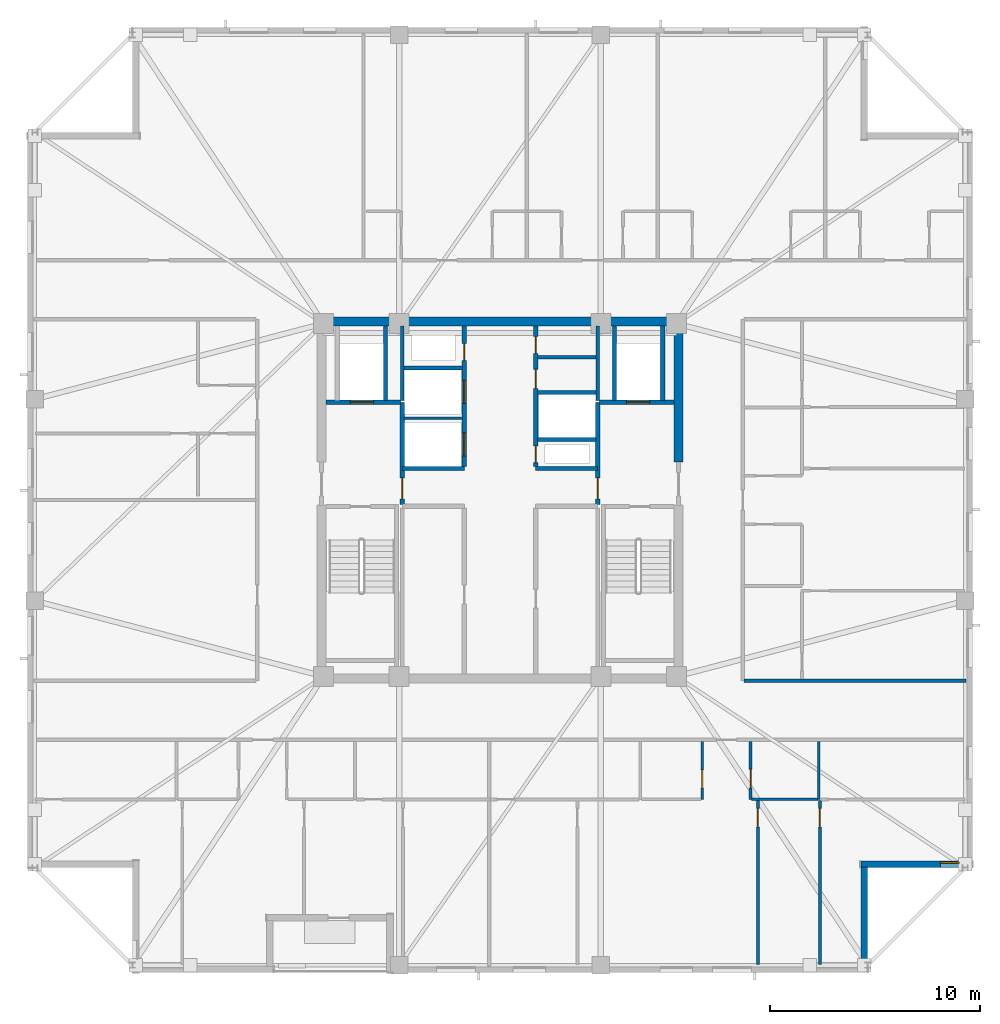
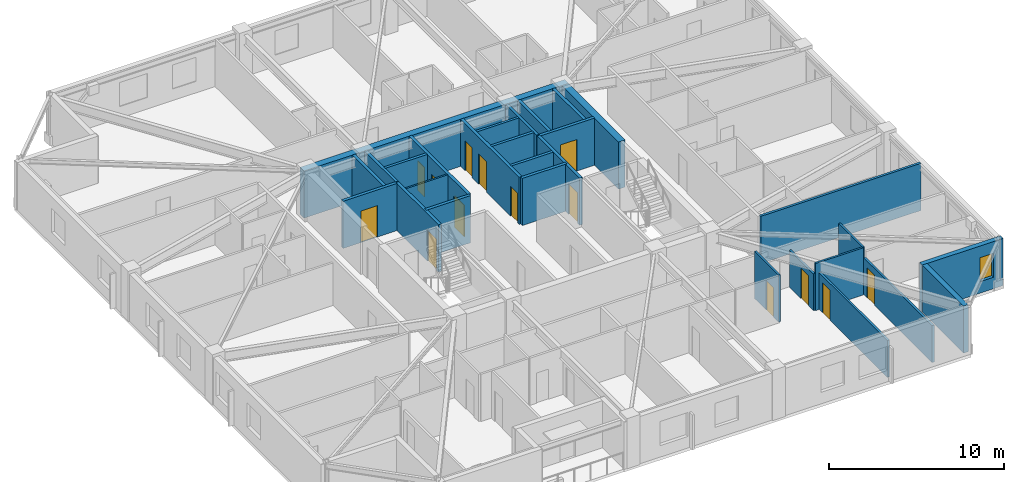
# One storey, part 9 of 15: 29 walls, 14 doors, 1 window, 15 openings.
"""IFC4 building model written with IfcOpenShell, lengths in metres."""

import ifcopenshell
import ifcopenshell.guid

model = None  # the IFC model being written
_history = None  # IfcOwnerHistory: only IFC2X3 demands one
_inside = {}  # id of a spatial element -> (the spatial element, [elements in it])
_under = {}  # id of a project, library or spatial element -> (it, [spatial elements below it])
_declared = {}  # id of a project -> (the project, [libraries it declares])
_typed = {}  # id of a type object -> (the type object, [elements of that type])
_made_of = {}  # id of a material, layer set ... -> (it, [elements and type objects made of it])


def new_model(schema):
    """Start an empty IFC model of exactly this schema.

    Asked for "IFC4X3", IfcOpenShell would pick the latest addendum, in which some entities
    have other attributes; the version numbers below select the first issue.
    IFC2X3 requires an IfcOwnerHistory on every rooted entity: one is made here for all.
    """
    global model, _history
    if schema == "IFC4X3":
        model = ifcopenshell.file(schema_version=(4, 3, 0, 0))
    else:
        model = ifcopenshell.file(schema=schema)
    _inside.clear()
    _under.clear()
    _declared.clear()
    _typed.clear()
    _made_of.clear()
    _history = None
    if model.schema == "IFC2X3":
        org = make("IfcOrganization", Name="unknown")
        user = make(
            "IfcPersonAndOrganization",
            ThePerson=make("IfcPerson", FamilyName="unknown"),
            TheOrganization=org,
        )
        app = make(
            "IfcApplication",
            ApplicationDeveloper=org,
            Version="unknown",
            ApplicationFullName="unknown",
            ApplicationIdentifier="unknown",
        )
        _history = make(
            "IfcOwnerHistory",
            OwningUser=user,
            OwningApplication=app,
            ChangeAction="ADDED",
            CreationDate=0,
        )
    return model


def make(cls, **values):
    """One entity of the class cls with the attributes given. An attribute that is None is left unset."""
    return model.create_entity(
        cls, **{name: value for name, value in values.items() if value is not None}
    )


def rooted(cls, **values):
    """An entity with a GlobalId (a new one), such as an element, a storey or a relation."""
    return make(cls, GlobalId=ifcopenshell.guid.new(), OwnerHistory=_history, **values)


def si_unit(unit_type, name, prefix=None):
    """IfcSIUnit, for example si_unit("LENGTHUNIT", "METRE", prefix="MILLI")."""
    return make("IfcSIUnit", UnitType=unit_type, Prefix=prefix, Name=name)


def assignment(units):
    """IfcUnitAssignment: the units of a project."""
    return None if units is None else make("IfcUnitAssignment", Units=units)


def point(xyz):
    """IfcCartesianPoint."""
    return None if xyz is None else make("IfcCartesianPoint", Coordinates=xyz)


def direction(xyz):
    """IfcDirection."""
    return None if xyz is None else make("IfcDirection", DirectionRatios=xyz)


def frame(location, z_axis=None, x_axis=None):
    """IfcAxis2Placement3D, a coordinate frame: its origin and axes. An axis left out is left unset."""
    return make(
        "IfcAxis2Placement3D",
        Location=point(location),
        Axis=direction(z_axis),
        RefDirection=direction(x_axis),
    )


def frame_2d(location, x_axis=None):
    """IfcAxis2Placement2D, a coordinate frame in the plane: its origin and x axis."""
    return make(
        "IfcAxis2Placement2D", Location=point(location), RefDirection=direction(x_axis)
    )


def origin():
    """The frame at (0, 0, 0) with its axes left unset."""
    return frame((0.0, 0.0, 0.0))


def place(relative_to, where):
    """IfcLocalPlacement: puts the frame where relative to a parent placement (None: the world)."""
    return make(
        "IfcLocalPlacement", PlacementRelTo=relative_to, RelativePlacement=where
    )


def context(
    kind, dimensions, precision=None, world=None, true_north=None, identifier=None
):
    """IfcGeometricRepresentationContext, for example the 3D "Model" context."""
    return make(
        "IfcGeometricRepresentationContext",
        ContextIdentifier=identifier,
        ContextType=kind,
        CoordinateSpaceDimension=dimensions,
        Precision=precision,
        WorldCoordinateSystem=world,
        TrueNorth=true_north,
    )


def subcontext(parent, identifier, kind, view, scale=None):
    """IfcGeometricRepresentationSubContext, for example "Body" below "Model"."""
    return make(
        "IfcGeometricRepresentationSubContext",
        ContextIdentifier=identifier,
        ContextType=kind,
        ParentContext=parent,
        TargetScale=scale,
        TargetView=view,
    )


def project(units=None, contexts=None):
    """IfcProject with its units and contexts."""
    return rooted(
        "IfcProject",
        Name="project",
        RepresentationContexts=contexts,
        UnitsInContext=assignment(units),
    )


def spatial(cls, under=None, at=None, **own):
    """A site, building, storey or space (cls), placed at a placement, below another one or the project."""
    s = rooted(cls, ObjectPlacement=at, **own)
    if under is not None:
        _under.setdefault(under.id(), (under, []))[1].append(s)
    return s


def profile(cls, at=None, kind="AREA", **sizes):
    """A parametric profile (cls). Its sizes go by their IFC names, for example OverallWidth=200.0."""
    return make(cls, ProfileType=kind, Position=at, **sizes)


def rectangle(**sizes):
    """IfcRectangleProfileDef."""
    return profile("IfcRectangleProfileDef", **sizes)


def extrude(swept, where, along, depth):
    """IfcExtrudedAreaSolid: the profile swept, set in the frame where, extruded along a direction by depth."""
    return make(
        "IfcExtrudedAreaSolid",
        SweptArea=swept,
        Position=where,
        ExtrudedDirection=direction(along),
        Depth=depth,
    )


def shape(context_of_items, identifier, shape_type, items):
    """IfcShapeRepresentation: the items that make up one representation, for example the "Body"."""
    return make(
        "IfcShapeRepresentation",
        ContextOfItems=context_of_items,
        RepresentationIdentifier=identifier,
        RepresentationType=shape_type,
        Items=items,
    )


def material(Name=None, Category=None):
    """IfcMaterial."""
    return make("IfcMaterial", Name=Name, Category=Category)


def layer(
    of_material, thickness, ventilated=None, Name=None, Category=None, Priority=None
):
    """IfcMaterialLayer: one layer of a wall or slab, of a material (None: an air gap)."""
    return make(
        "IfcMaterialLayer",
        Material=of_material,
        LayerThickness=thickness,
        IsVentilated=ventilated,
        Name=Name,
        Category=Category,
        Priority=Priority,
    )


def layer_set(layers, Name=None):
    """IfcMaterialLayerSet."""
    return make("IfcMaterialLayerSet", MaterialLayers=layers, LayerSetName=Name)


def made_of(thing, what):
    """Note that an element or type object is made of a material, layer set ...; save() writes the relation."""
    if what is not None:
        _made_of.setdefault(what.id(), (what, []))[1].append(thing)
    return thing


def type_object(cls, material=None, **own):
    """A type object (cls), such as IfcWallType, which elements share."""
    return made_of(rooted(cls, **own), material)


def element(
    cls,
    number,
    at=None,
    inside=None,
    cuts=None,
    type_object=None,
    material=None,
    context=None,
    identifier="Body",
    shape_type=None,
    held_by="IfcProductDefinitionShape",
    body=None,
    shapes=None,
    **own,
):
    """One element of the class cls, such as IfcWall. Its Tag is "e" and its number.

    at: its placement. inside: the storey or other place that contains it. cuts: it is an
    opening in that element (IfcRelVoidsElement). A single representation is given by context,
    identifier, shape_type and body (its items); several are given by shapes. held_by: the class
    of the entity that holds the representations. save() writes the other relations.
    """
    e = rooted(cls, Tag="e%d" % number, ObjectPlacement=at, **own)
    if body is not None:
        shapes = [shape(context, identifier, shape_type, body)]
    if shapes is not None:
        e.Representation = make(held_by, Representations=shapes)
    if inside is not None:
        _inside.setdefault(inside.id(), (inside, []))[1].append(e)
    if cuts is not None:
        rooted(
            "IfcRelVoidsElement", RelatingBuildingElement=cuts, RelatedOpeningElement=e
        )
    if type_object is not None:
        _typed.setdefault(type_object.id(), (type_object, []))[1].append(e)
    return made_of(e, material)


def fill(opening, filler):
    """IfcRelFillsElement: the door or window that sits in an opening."""
    return rooted(
        "IfcRelFillsElement",
        RelatingOpeningElement=opening,
        RelatedBuildingElement=filler,
    )


def aggregate(whole, parts):
    """IfcRelAggregates: a whole, such as a stair, and the parts it consists of."""
    return rooted("IfcRelAggregates", RelatingObject=whole, RelatedObjects=parts)


def save(model, path):
    """Write the relations noted so far, then the file.

    IfcRelAggregates (storeys below a building ...), IfcRelContainedInSpatialStructure (elements
    in a storey), IfcRelDefinesByType, IfcRelAssociatesMaterial and IfcRelDeclares: one each for
    every whole, place, type object, material and project.
    """
    for whole, parts in _under.values():
        aggregate(whole, parts)
    for where, things in _inside.values():
        rooted(
            "IfcRelContainedInSpatialStructure",
            RelatedElements=things,
            RelatingStructure=where,
        )
    for kind, things in _typed.values():
        rooted("IfcRelDefinesByType", RelatedObjects=things, RelatingType=kind)
    for what, things in _made_of.values():
        rooted("IfcRelAssociatesMaterial", RelatedObjects=things, RelatingMaterial=what)
    for by, libraries in _declared.values():
        rooted("IfcRelDeclares", RelatingContext=by, RelatedDefinitions=libraries)
    model.write(path)


model = new_model("IFC4")

# Units and contexts
model_context = context("Model", 3, precision=1e-05, world=origin(), true_north=direction((0.0, 1.0)))
body_context = subcontext(model_context, "Body", "Model", "MODEL_VIEW")
ifc_project = project(units=[si_unit("LENGTHUNIT", "METRE"), si_unit("AREAUNIT", "SQUARE_METRE"), si_unit("VOLUMEUNIT", "CUBIC_METRE"), si_unit("PLANEANGLEUNIT", "RADIAN"), si_unit("MASSUNIT", "GRAM", prefix="KILO")], contexts=[model_context])

# Site, building, storey
site_placement = place(None, origin())
site = spatial("IfcSite", under=ifc_project, at=site_placement, CompositionType="ELEMENT")
building_placement = place(site_placement, origin())
building = spatial("IfcBuilding", under=site, at=building_placement, Name="Cairnveth Concourse Tower", CompositionType="ELEMENT")
storey_placement = place(building_placement, frame((0.0, 0.0, 265.5)))
storey = spatial("IfcBuildingStorey", under=building, at=storey_placement, Name="L73", CompositionType="ELEMENT", Elevation=265.5)

# Walls
ifc_material_1 = material(Name="Gypsum Plasterboard Partition", Category="gypsum")
ifc_layer_1 = layer(ifc_material_1, 0.159912109375)
ifc_layer_set_1 = layer_set([ifc_layer_1], Name="Gypsum Plasterboard Partition")
wall_type_1 = type_object("IfcWallType", Name="ACOUSTIC PARTY WALL 180", PredefinedType="PARTITIONING", material=ifc_layer_set_1)
wall_1_placement = place(storey_placement, frame((53.784912109375, 45.800048828125, 0.0), z_axis=(0.0, 0.0, 1.0), x_axis=(1.0, 0.0, 0.0)))
element("IfcWall", 1, at=wall_1_placement, inside=storey, type_object=wall_type_1, Name="Interior Wall IW-L73-033", PredefinedType="PARTITIONING", context=body_context, shape_type="SweptSolid", body=[
    extrude(rectangle(XDim=2.7900390625, YDim=0.159912109375, at=frame_2d((1.39501953125, 0.0))), origin(), (0.0, 0.0, 1.0), 3.2900390625),
])
wall_2_placement = place(storey_placement, frame((63.614990234375, 30.39990234375, 0.0), z_axis=(0.0, 0.0, 1.0), x_axis=(1.0, 0.0, 0.0)))
element("IfcWall", 2, at=wall_2_placement, inside=storey, type_object=wall_type_1, Name="Interior Wall IW-L73-040", PredefinedType="PARTITIONING", context=body_context, shape_type="SweptSolid", body=[
    extrude(rectangle(XDim=10.580078125, YDim=0.159912109375, at=frame_2d((5.2900390625, 0.0))), origin(), (0.0, 0.0, 1.0), 3.2900390625),
])
ifc_material_2 = material(Name="Concrete N65 (65 MPa)", Category="concrete")
ifc_layer_2 = layer(ifc_material_2, 0.449951171875)
ifc_layer_set_2 = layer_set([ifc_layer_2], Name="Concrete N65 (65 MPa)")
wall_type_2 = type_object("IfcWallType", Name="CORE SHEAR WALL 450", PredefinedType="SHEAR", material=ifc_layer_set_2)
wall_3_placement = place(storey_placement, frame((43.27490234375, 47.5, 0.0), z_axis=(0.0, 0.0, 1.0), x_axis=(1.0, 0.0, 0.0)))
element("IfcWall", 3, at=wall_3_placement, inside=storey, type_object=wall_type_2, Name="Core North Shear Wall L73", PredefinedType="SHEAR", context=body_context, shape_type="SweptSolid", body=[
    extrude(rectangle(XDim=17.4501953125, YDim=0.449951171875, at=frame_2d((8.72509765625, 0.0))), origin(), (0.0, 0.0, 1.0), 3.2900390625),
])
wall_4_placement = place(storey_placement, frame((60.5, 40.800048828125, 0.0), z_axis=(0.0, 0.0, 1.0), x_axis=(0.0, 1.0, 0.0)))
element("IfcWall", 4, at=wall_4_placement, inside=storey, type_object=wall_type_2, Name="Core East Shear Wall N L73", PredefinedType="SHEAR", context=body_context, shape_type="SweptSolid", body=[
    extrude(rectangle(XDim=6.48486328125, YDim=0.449951171875, at=frame_2d((3.242431640625, 0.0))), origin(), (0.0, 0.0, 1.0), 3.2900390625),
])
ifc_material_3 = material(Name="Concrete N50 (50 MPa)", Category="concrete")
ifc_layer_3 = layer(ifc_material_3, 0.179931640625)
ifc_layer_set_3 = layer_set([ifc_layer_3], Name="Concrete N50 (50 MPa)")
wall_type_3 = type_object("IfcWallType", Name="FIRE SHAFT WALL 180", PredefinedType="SOLIDWALL", material=ifc_layer_set_3)
wall_5_placement = place(storey_placement, frame((47.35009765625, 43.735107421875, 0.0), z_axis=(0.0, 0.0, 1.0), x_axis=(0.0, 1.0, 0.0)))
element("IfcWall", 5, at=wall_5_placement, inside=storey, type_object=wall_type_3, Name="Interior Wall IW-L73-027", PredefinedType="SOLIDWALL", context=body_context, shape_type="SweptSolid", body=[
    extrude(rectangle(XDim=3.554931640625, YDim=0.179931640625, at=frame_2d((1.77734375, 0.0))), origin(), (0.0, 0.0, 1.0), 3.2900390625),
])
wall_6_placement = place(storey_placement, frame((47.425048828125, 45.280029296875, 0.0), z_axis=(0.0, 0.0, 1.0), x_axis=(1.0, 0.0, 0.0)))
element("IfcWall", 6, at=wall_6_placement, inside=storey, type_object=wall_type_3, Name="Interior Wall IW-L73-029", PredefinedType="SOLIDWALL", context=body_context, shape_type="SweptSolid", body=[
    extrude(rectangle(XDim=2.7900390625, YDim=0.179931640625, at=frame_2d((1.39501953125, 0.0))), origin(), (0.0, 0.0, 1.0), 3.2900390625),
])
wall_7_placement = place(storey_placement, frame((56.64990234375, 43.735107421875, 0.0), z_axis=(0.0, 0.0, 1.0), x_axis=(0.0, 1.0, 0.0)))
element("IfcWall", 7, at=wall_7_placement, inside=storey, type_object=wall_type_3, Name="Interior Wall IW-L73-030", PredefinedType="SOLIDWALL", context=body_context, shape_type="SweptSolid", body=[
    extrude(rectangle(XDim=3.554931640625, YDim=0.179931640625, at=frame_2d((1.77734375, 0.0))), origin(), (0.0, 0.0, 1.0), 3.2900390625),
])
wall_8_placement = place(storey_placement, frame((53.784912109375, 41.8798828125, 0.0), z_axis=(0.0, 0.0, 1.0), x_axis=(1.0, 0.0, 0.0)))
element("IfcWall", 8, at=wall_8_placement, inside=storey, type_object=wall_type_3, Name="Interior Wall IW-L73-031", PredefinedType="SOLIDWALL", context=body_context, shape_type="SweptSolid", body=[
    extrude(rectangle(XDim=2.780029296875, YDim=0.179931640625, at=frame_2d((1.39013671875, 0.0))), origin(), (0.0, 0.0, 1.0), 3.2900390625),
])
wall_9_placement = place(storey_placement, frame((53.784912109375, 44.1201171875, 0.0), z_axis=(0.0, 0.0, 1.0), x_axis=(1.0, 0.0, 0.0)))
element("IfcWall", 9, at=wall_9_placement, inside=storey, type_object=wall_type_3, Name="Interior Wall IW-L73-032", PredefinedType="SOLIDWALL", context=body_context, shape_type="SweptSolid", body=[
    extrude(rectangle(XDim=2.7900390625, YDim=0.179931640625, at=frame_2d((1.39501953125, 0.0))), origin(), (0.0, 0.0, 1.0), 3.2900390625),
])
ifc_layer_4 = layer(ifc_material_3, 0.199951171875)
ifc_layer_set_4 = layer_set([ifc_layer_4], Name="Concrete N50 (50 MPa)")
wall_type_4 = type_object("IfcWallType", Name="FIRE SHAFT WALL 200", PredefinedType="SOLIDWALL", material=ifc_layer_set_4)
for number, where, z_axis, x_axis, name in (
    (10, (47.35009765625, 40.5, 0.0), (0.0, 0.0, 1.0), (1.0, 0.0, 0.0), "Interior Wall IW-L73-008"),
    (11, (53.699951171875, 40.5, 0.0), (0.0, 0.0, 1.0), (1.0, 0.0, 0.0), "Interior Wall IW-L73-010"),
):
    element("IfcWall", number, at=place(storey_placement, frame(where, z_axis=z_axis, x_axis=x_axis)), inside=storey, type_object=wall_type_4, Name=name, PredefinedType="SOLIDWALL", context=body_context, shape_type="SweptSolid", body=[
        extrude(rectangle(XDim=2.949951171875, YDim=0.199951171875, at=frame_2d((1.47509765625, 0.0))), origin(), (0.0, 0.0, 1.0), 3.2900390625),
    ])

# Wall, openings, doors
wall_10_placement = place(storey_placement, frame((50.300048828125, 40.5849609375, 0.0), z_axis=(0.0, 0.0, 1.0), x_axis=(0.0, 1.0, 0.0)))
wall_10 = element("IfcWall", 12, at=wall_10_placement, inside=storey, type_object=wall_type_4, Name="Interior Wall IW-L73-013", PredefinedType="SOLIDWALL", context=body_context, shape_type="SweptSolid", body=[
    extrude(rectangle(XDim=6.705078125, YDim=0.199951171875, at=frame_2d((3.3525390625, 0.0))), origin(), (0.0, 0.0, 1.0), 3.2900390625),
])
opening_1_placement = place(wall_10_placement, frame((0.514892578125, 0.0, 0.0)))
opening_1 = element("IfcOpeningElement", 13, at=opening_1_placement, cuts=wall_10, Name="Opening LD-1", PredefinedType="OPENING", context=body_context, shape_type="SweptSolid", body=[
    extrude(rectangle(XDim=1.10009765625, YDim=2.199951171875, at=frame_2d((0.550048828125, 1.10009765625))), frame((0.0, 0.10986328125, 0.0), z_axis=(0.0, -1.0, 0.0), x_axis=(1.0, 0.0, 0.0)), (0.0, 0.0, 1.0), 0.219970703125),
])
opening_2_placement = place(wall_10_placement, frame((3.014892578125, 0.0, 0.0)))
opening_2 = element("IfcOpeningElement", 14, at=opening_2_placement, cuts=wall_10, Name="Opening LD-1", PredefinedType="OPENING", context=body_context, shape_type="SweptSolid", body=[
    extrude(rectangle(XDim=1.10009765625, YDim=2.199951171875, at=frame_2d((0.550048828125, 1.10009765625))), frame((0.0, 0.10986328125, 0.0), z_axis=(0.0, -1.0, 0.0), x_axis=(1.0, 0.0, 0.0)), (0.0, 0.0, 1.0), 0.219970703125),
])
opening_3_placement = place(wall_10_placement, frame((5.06494140625, 0.0, 0.0)))
opening_3 = element("IfcOpeningElement", 15, at=opening_3_placement, cuts=wall_10, Name="Opening ID24", PredefinedType="OPENING", context=body_context, shape_type="SweptSolid", body=[
    extrude(rectangle(XDim=0.800048828125, YDim=2.080078125, at=frame_2d((0.39990234375, 1.0400390625))), frame((0.0, 0.10986328125, 0.0), z_axis=(0.0, -1.0, 0.0), x_axis=(1.0, 0.0, 0.0)), (0.0, 0.0, 1.0), 0.219970703125),
])
ifc_material_4 = material(Name="Architectural Bronze Anodised Aluminium 6063-T6", Category="aluminium")
door_type_1 = type_object("IfcDoorType", Name="LIFT LANDING DOOR 1100X2200", OperationType="SLIDING_TO_LEFT", PredefinedType="DOOR", material=ifc_material_4)
door_1_placement = place(opening_1_placement, origin())
door_1 = element("IfcDoor", 16, at=door_1_placement, inside=storey, type_object=door_type_1, Name="Lift PL7 Landing Door L73", OperationType="SLIDING_TO_LEFT", OverallHeight=2.199951171875, OverallWidth=1.10009765625, PredefinedType="DOOR", context=body_context, shape_type="SweptSolid", body=[
    extrude(rectangle(XDim=1.10009765625, YDim=2.199951171875, at=frame_2d((0.550048828125, 1.10009765625))), frame((0.0, 0.02490234375, 0.0), z_axis=(0.0, -1.0, 0.0), x_axis=(1.0, 0.0, 0.0)), (0.0, 0.0, 1.0), 0.050048828125),
])
fill(opening_1, door_1)
door_2_placement = place(opening_2_placement, origin())
door_2 = element("IfcDoor", 17, at=door_2_placement, inside=storey, type_object=door_type_1, Name="Lift PL8 Landing Door L73", OperationType="SLIDING_TO_LEFT", OverallHeight=2.199951171875, OverallWidth=1.10009765625, PredefinedType="DOOR", context=body_context, shape_type="SweptSolid", body=[
    extrude(rectangle(XDim=1.10009765625, YDim=2.199951171875, at=frame_2d((0.550048828125, 1.10009765625))), frame((0.0, 0.02490234375, 0.0), z_axis=(0.0, -1.0, 0.0), x_axis=(1.0, 0.0, 0.0)), (0.0, 0.0, 1.0), 0.050048828125),
])
fill(opening_2, door_2)
ifc_material_5 = material(Name="Steel Grade 350", Category="steel")
door_type_2 = type_object("IfcDoorType", Name="RISER ACCESS DOOR 800X2100", OperationType="NOTDEFINED", PredefinedType="DOOR", material=ifc_material_5)
door_3_placement = place(opening_3_placement, origin())
door_3 = element("IfcDoor", 18, at=door_3_placement, inside=storey, type_object=door_type_2, Name="NW Electrical Riser Access Door L73", OperationType="SINGLE_SWING_LEFT", OverallHeight=2.080078125, OverallWidth=0.800048828125, PredefinedType="DOOR", context=body_context, shape_type="SweptSolid", body=[
    extrude(rectangle(XDim=0.800048828125, YDim=2.080078125, at=frame_2d((0.39990234375, 1.0400390625))), frame((0.0, 0.02490234375, 0.0), z_axis=(0.0, -1.0, 0.0), x_axis=(1.0, 0.0, 0.0)), (0.0, 0.0, 1.0), 0.050048828125),
])
fill(opening_3, door_3)

wall_11_placement = place(storey_placement, frame((53.699951171875, 40.5849609375, 0.0), z_axis=(0.0, 0.0, 1.0), x_axis=(0.0, 1.0, 0.0)))
wall_11 = element("IfcWall", 19, at=wall_11_placement, inside=storey, type_object=wall_type_4, Name="Interior Wall IW-L73-014", PredefinedType="SOLIDWALL", context=body_context, shape_type="SweptSolid", body=[
    extrude(rectangle(XDim=6.705078125, YDim=0.199951171875, at=frame_2d((3.3525390625, 0.0))), origin(), (0.0, 0.0, 1.0), 3.2900390625),
])
opening_4_placement = place(wall_11_placement, frame((0.195068359375, 0.0, 0.0)))
opening_4 = element("IfcOpeningElement", 20, at=opening_4_placement, cuts=wall_11, Name="Opening ID24", PredefinedType="OPENING", context=body_context, shape_type="SweptSolid", body=[
    extrude(rectangle(XDim=0.800048828125, YDim=2.080078125, at=frame_2d((0.39990234375, 1.0400390625))), frame((0.0, 0.10986328125, 0.0), z_axis=(0.0, -1.0, 0.0), x_axis=(1.0, 0.0, 0.0)), (0.0, 0.0, 1.0), 0.219970703125),
])
opening_5_placement = place(wall_11_placement, frame((3.735107421875, 0.0, 0.0)))
opening_5 = element("IfcOpeningElement", 21, at=opening_5_placement, cuts=wall_11, Name="Opening ID26", PredefinedType="OPENING", context=body_context, shape_type="SweptSolid", body=[
    extrude(rectangle(XDim=0.89990234375, YDim=2.1201171875, at=frame_2d((0.449951171875, 1.06005859375))), frame((0.0, 0.10986328125, 0.0), z_axis=(0.0, -1.0, 0.0), x_axis=(1.0, 0.0, 0.0)), (0.0, 0.0, 1.0), 0.219970703125),
])
opening_6_placement = place(wall_11_placement, frame((5.39501953125, 0.0, 0.0)))
opening_6 = element("IfcOpeningElement", 22, at=opening_6_placement, cuts=wall_11, Name="Opening ID23", PredefinedType="OPENING", context=body_context, shape_type="SweptSolid", body=[
    extrude(rectangle(XDim=0.800048828125, YDim=2.10009765625, at=frame_2d((0.39990234375, 1.050048828125))), frame((0.0, 0.10986328125, 0.0), z_axis=(0.0, -1.0, 0.0), x_axis=(1.0, 0.0, 0.0)), (0.0, 0.0, 1.0), 0.219970703125),
])
door_type_3 = type_object("IfcDoorType", Name="CORE SERVICE DOOR 800X2100", OperationType="NOTDEFINED", PredefinedType="DOOR", material=ifc_material_5)
door_4_placement = place(opening_6_placement, origin())
door_4 = element("IfcDoor", 23, at=door_4_placement, inside=storey, type_object=door_type_3, Name="Core NE Cleaners Door L73", OperationType="SINGLE_SWING_RIGHT", OverallHeight=2.10009765625, OverallWidth=0.800048828125, PredefinedType="DOOR", context=body_context, shape_type="SweptSolid", body=[
    extrude(rectangle(XDim=0.800048828125, YDim=2.10009765625, at=frame_2d((0.39990234375, 1.050048828125))), frame((0.0, 0.02490234375, 0.0), z_axis=(0.0, -1.0, 0.0), x_axis=(1.0, 0.0, 0.0)), (0.0, 0.0, 1.0), 0.050048828125),
])
fill(opening_6, door_4)
door_type_4 = type_object("IfcDoorType", Name="CORE TOILET FIRE DOOR 900X2120", OperationType="NOTDEFINED", PredefinedType="DOOR", material=ifc_material_5)
door_5_placement = place(opening_5_placement, origin())
door_5 = element("IfcDoor", 24, at=door_5_placement, inside=storey, type_object=door_type_4, Name="Core NE Unisex WC Door L73", OperationType="SINGLE_SWING_LEFT", OverallHeight=2.1201171875, OverallWidth=0.89990234375, PredefinedType="DOOR", context=body_context, shape_type="SweptSolid", body=[
    extrude(rectangle(XDim=0.89990234375, YDim=2.1201171875, at=frame_2d((0.449951171875, 1.06005859375))), frame((0.0, 0.02490234375, 0.0), z_axis=(0.0, -1.0, 0.0), x_axis=(1.0, 0.0, 0.0)), (0.0, 0.0, 1.0), 0.050048828125),
])
fill(opening_5, door_5)
door_6_placement = place(opening_4_placement, origin())
door_6 = element("IfcDoor", 25, at=door_6_placement, inside=storey, type_object=door_type_2, Name="Hydraulic Riser Door L73", OperationType="SINGLE_SWING_RIGHT", OverallHeight=2.080078125, OverallWidth=0.800048828125, PredefinedType="DOOR", context=body_context, shape_type="SweptSolid", body=[
    extrude(rectangle(XDim=0.800048828125, YDim=2.080078125, at=frame_2d((0.39990234375, 1.0400390625))), frame((0.0, 0.02490234375, 0.0), z_axis=(0.0, -1.0, 0.0), x_axis=(1.0, 0.0, 0.0)), (0.0, 0.0, 1.0), 0.050048828125),
])
fill(opening_4, door_6)

# Wall, opening, door
wall_12_placement = place(storey_placement, frame((47.35009765625, 38.784912109375, 0.0), z_axis=(0.0, 0.0, 1.0), x_axis=(0.0, 1.0, 0.0)))
wall_12 = element("IfcWall", 26, at=wall_12_placement, inside=storey, type_object=wall_type_4, Name="Interior Wall IW-L73-016", PredefinedType="SOLIDWALL", context=body_context, shape_type="SweptSolid", body=[
    extrude(rectangle(XDim=4.864990234375, YDim=0.199951171875, at=frame_2d((2.4326171875, 0.0))), origin(), (0.0, 0.0, 1.0), 3.2900390625),
])
opening_7_placement = place(wall_12_placement, frame((0.264892578125, 0.0, 0.0)))
opening_7 = element("IfcOpeningElement", 27, at=opening_7_placement, cuts=wall_12, Name="Opening ID07", PredefinedType="OPENING", context=body_context, shape_type="SweptSolid", body=[
    extrude(rectangle(XDim=1.0, YDim=2.14990234375, at=frame_2d((0.5, 1.074951171875))), frame((0.0, 0.10986328125, 0.0), z_axis=(0.0, -1.0, 0.0), x_axis=(1.0, 0.0, 0.0)), (0.0, 0.0, 1.0), 0.219970703125),
])
door_type_5 = type_object("IfcDoorType", Name="FIRE CORRIDOR DOOR 1000X2150", OperationType="NOTDEFINED", PredefinedType="DOOR", material=ifc_material_5)
door_7_placement = place(opening_7_placement, origin())
door_7 = element("IfcDoor", 28, at=door_7_placement, inside=storey, type_object=door_type_5, Name="FF Lobby West to Lift Lobby Door L73", OperationType="SINGLE_SWING_RIGHT", OverallHeight=2.14990234375, OverallWidth=1.0, PredefinedType="DOOR", context=body_context, shape_type="SweptSolid", body=[
    extrude(rectangle(XDim=1.0, YDim=2.14990234375, at=frame_2d((0.5, 1.074951171875))), frame((0.0, 0.02490234375, 0.0), z_axis=(0.0, -1.0, 0.0), x_axis=(1.0, 0.0, 0.0)), (0.0, 0.0, 1.0), 0.050048828125),
])
fill(opening_7, door_7)

wall_13_placement = place(storey_placement, frame((43.7099609375, 43.64990234375, 0.0), z_axis=(0.0, 0.0, 1.0), x_axis=(1.0, 0.0, 0.0)))
wall_13 = element("IfcWall", 29, at=wall_13_placement, inside=storey, type_object=wall_type_4, Name="Interior Wall IW-L73-017", PredefinedType="SOLIDWALL", context=body_context, shape_type="SweptSolid", body=[
    extrude(rectangle(XDim=3.554931640625, YDim=0.199951171875, at=frame_2d((1.77734375, 0.0))), origin(), (0.0, 0.0, 1.0), 3.2900390625),
])
opening_8_placement = place(wall_13_placement, frame((1.159912109375, 0.0, 0.0)))
opening_8 = element("IfcOpeningElement", 30, at=opening_8_placement, cuts=wall_13, Name="Opening LD-1", PredefinedType="OPENING", context=body_context, shape_type="SweptSolid", body=[
    extrude(rectangle(XDim=1.10009765625, YDim=2.199951171875, at=frame_2d((0.550048828125, 1.10009765625))), frame((0.0, 0.10986328125, 0.0), z_axis=(0.0, -1.0, 0.0), x_axis=(1.0, 0.0, 0.0)), (0.0, 0.0, 1.0), 0.219970703125),
])
door_8_placement = place(opening_8_placement, origin())
door_8 = element("IfcDoor", 31, at=door_8_placement, inside=storey, type_object=door_type_1, Name="Lift FFL1 Landing Door L73", OperationType="SLIDING_TO_LEFT", OverallHeight=2.199951171875, OverallWidth=1.10009765625, PredefinedType="DOOR", context=body_context, shape_type="SweptSolid", body=[
    extrude(rectangle(XDim=1.10009765625, YDim=2.199951171875, at=frame_2d((0.550048828125, 1.10009765625))), frame((0.0, 0.02490234375, 0.0), z_axis=(0.0, -1.0, 0.0), x_axis=(1.0, 0.0, 0.0)), (0.0, 0.0, 1.0), 0.050048828125),
])
fill(opening_8, door_8)

# Wall
wall_14_placement = place(storey_placement, frame((46.550048828125, 43.735107421875, 0.0), z_axis=(0.0, 0.0, 1.0), x_axis=(0.0, 1.0, 0.0)))
element("IfcWall", 32, at=wall_14_placement, inside=storey, type_object=wall_type_4, Name="Interior Wall IW-L73-018", PredefinedType="SOLIDWALL", context=body_context, shape_type="SweptSolid", body=[
    extrude(rectangle(XDim=3.554931640625, YDim=0.199951171875, at=frame_2d((1.77734375, 0.0))), origin(), (0.0, 0.0, 1.0), 3.2900390625),
])

# Wall, opening, door
wall_15_placement = place(storey_placement, frame((56.64990234375, 38.784912109375, 0.0), z_axis=(0.0, 0.0, 1.0), x_axis=(0.0, 1.0, 0.0)))
wall_15 = element("IfcWall", 33, at=wall_15_placement, inside=storey, type_object=wall_type_4, Name="Interior Wall IW-L73-021", PredefinedType="SOLIDWALL", context=body_context, shape_type="SweptSolid", body=[
    extrude(rectangle(XDim=4.864990234375, YDim=0.199951171875, at=frame_2d((2.4326171875, 0.0))), origin(), (0.0, 0.0, 1.0), 3.2900390625),
])
opening_9_placement = place(wall_15_placement, frame((0.264892578125, 0.0, 0.0)))
opening_9 = element("IfcOpeningElement", 34, at=opening_9_placement, cuts=wall_15, Name="Opening ID07", PredefinedType="OPENING", context=body_context, shape_type="SweptSolid", body=[
    extrude(rectangle(XDim=1.0, YDim=2.14990234375, at=frame_2d((0.5, 1.074951171875))), frame((0.0, 0.10986328125, 0.0), z_axis=(0.0, -1.0, 0.0), x_axis=(1.0, 0.0, 0.0)), (0.0, 0.0, 1.0), 0.219970703125),
])
door_9_placement = place(opening_9_placement, origin())
door_9 = element("IfcDoor", 35, at=door_9_placement, inside=storey, type_object=door_type_5, Name="FF Lobby East to Lift Lobby Door L73", OperationType="SINGLE_SWING_LEFT", OverallHeight=2.14990234375, OverallWidth=1.0, PredefinedType="DOOR", context=body_context, shape_type="SweptSolid", body=[
    extrude(rectangle(XDim=1.0, YDim=2.14990234375, at=frame_2d((0.5, 1.074951171875))), frame((0.0, 0.02490234375, 0.0), z_axis=(0.0, -1.0, 0.0), x_axis=(1.0, 0.0, 0.0)), (0.0, 0.0, 1.0), 0.050048828125),
])
fill(opening_9, door_9)

wall_16_placement = place(storey_placement, frame((56.735107421875, 43.64990234375, 0.0), z_axis=(0.0, 0.0, 1.0), x_axis=(1.0, 0.0, 0.0)))
wall_16 = element("IfcWall", 36, at=wall_16_placement, inside=storey, type_object=wall_type_4, Name="Interior Wall IW-L73-022", PredefinedType="SOLIDWALL", context=body_context, shape_type="SweptSolid", body=[
    extrude(rectangle(XDim=3.554931640625, YDim=0.199951171875, at=frame_2d((1.77734375, 0.0))), origin(), (0.0, 0.0, 1.0), 3.2900390625),
])
opening_10_placement = place(wall_16_placement, frame((1.294921875, 0.0, 0.0)))
opening_10 = element("IfcOpeningElement", 37, at=opening_10_placement, cuts=wall_16, Name="Opening LD-1", PredefinedType="OPENING", context=body_context, shape_type="SweptSolid", body=[
    extrude(rectangle(XDim=1.10009765625, YDim=2.199951171875, at=frame_2d((0.550048828125, 1.10009765625))), frame((0.0, 0.10986328125, 0.0), z_axis=(0.0, -1.0, 0.0), x_axis=(1.0, 0.0, 0.0)), (0.0, 0.0, 1.0), 0.219970703125),
])
door_10_placement = place(opening_10_placement, origin())
door_10 = element("IfcDoor", 38, at=door_10_placement, inside=storey, type_object=door_type_1, Name="Lift FFL2 Landing Door L73", OperationType="SLIDING_TO_LEFT", OverallHeight=2.199951171875, OverallWidth=1.10009765625, PredefinedType="DOOR", context=body_context, shape_type="SweptSolid", body=[
    extrude(rectangle(XDim=1.10009765625, YDim=2.199951171875, at=frame_2d((0.550048828125, 1.10009765625))), frame((0.0, 0.02490234375, 0.0), z_axis=(0.0, -1.0, 0.0), x_axis=(1.0, 0.0, 0.0)), (0.0, 0.0, 1.0), 0.050048828125),
])
fill(opening_10, door_10)

# Walls
for number, where, z_axis, x_axis, name in (
    (39, (57.449951171875, 43.735107421875, 0.0), (0.0, 0.0, 1.0), (0.0, 1.0, 0.0), "Interior Wall IW-L73-023"),
    (40, (59.75, 43.735107421875, 0.0), (0.0, 0.0, 1.0), (0.0, 1.0, 0.0), "Interior Wall IW-L73-024"),
):
    element("IfcWall", number, at=place(storey_placement, frame(where, z_axis=z_axis, x_axis=x_axis)), inside=storey, type_object=wall_type_4, Name=name, PredefinedType="SOLIDWALL", context=body_context, shape_type="SweptSolid", body=[
        extrude(rectangle(XDim=3.554931640625, YDim=0.199951171875, at=frame_2d((1.77734375, 0.0))), origin(), (0.0, 0.0, 1.0), 3.2900390625),
    ])

# Wall, opening, door
ifc_layer_5 = layer(ifc_material_1, 0.139892578125)
ifc_layer_set_5 = layer_set([ifc_layer_5], Name="Gypsum Plasterboard Partition")
wall_type_5 = type_object("IfcWallType", Name="GYPSUM STUD PARTITION 140", PredefinedType="PARTITIONING", material=ifc_layer_set_5)
wall_17_placement = place(storey_placement, frame((67.22998046875, 16.8798828125, 0.0), z_axis=(0.0, 0.0, 1.0), x_axis=(0.0, 1.0, 0.0)))
wall_17 = element("IfcWall", 41, at=wall_17_placement, inside=storey, type_object=wall_type_5, Name="Interior Wall IW-L73-062", PredefinedType="PARTITIONING", context=body_context, shape_type="SweptSolid", body=[
    extrude(rectangle(XDim=7.817626953125, YDim=0.139892578125, at=frame_2d((3.90869140625, 0.0))), origin(), (0.0, 0.0, 1.0), 2.572998046875),
])
opening_11_placement = place(wall_17_placement, frame((6.5576171875, 0.0, 0.0)))
opening_11 = element("IfcOpeningElement", 42, at=opening_11_placement, cuts=wall_17, Name="Opening ID18", PredefinedType="OPENING", context=body_context, shape_type="SweptSolid", body=[
    extrude(rectangle(XDim=0.8798828125, YDim=2.10009765625, at=frame_2d((0.43994140625, 1.050048828125))), frame((0.0, 0.079833984375, 0.0), z_axis=(0.0, -1.0, 0.0), x_axis=(1.0, 0.0, 0.0)), (0.0, 0.0, 1.0), 0.159912109375),
])
ifc_material_6 = material(Name="Solid Core Hardwood Timber Leaf", Category="wood")
door_type_6 = type_object("IfcDoorType", Name="INTERIOR SINGLE DOOR 880X2100", OperationType="NOTDEFINED", PredefinedType="DOOR", material=ifc_material_6)
door_11_placement = place(opening_11_placement, origin())
door_11 = element("IfcDoor", 43, at=door_11_placement, inside=storey, type_object=door_type_6, Name="L73S2 Bedroom 2 Door", OperationType="SINGLE_SWING_RIGHT", OverallHeight=2.10009765625, OverallWidth=0.8798828125, PredefinedType="DOOR", context=body_context, shape_type="SweptSolid", body=[
    extrude(rectangle(XDim=0.8798828125, YDim=2.10009765625, at=frame_2d((0.43994140625, 1.050048828125))), frame((0.0, 0.02490234375, 0.0), z_axis=(0.0, -1.0, 0.0), x_axis=(1.0, 0.0, 0.0)), (0.0, 0.0, 1.0), 0.050048828125),
])
fill(opening_11, door_11)

wall_18_placement = place(storey_placement, frame((64.280029296875, 16.8798828125, 0.0), z_axis=(0.0, 0.0, 1.0), x_axis=(0.0, 1.0, 0.0)))
wall_18 = element("IfcWall", 44, at=wall_18_placement, inside=storey, type_object=wall_type_5, Name="Interior Wall IW-L73-064", PredefinedType="PARTITIONING", context=body_context, shape_type="SweptSolid", body=[
    extrude(rectangle(XDim=7.817626953125, YDim=0.139892578125, at=frame_2d((3.90869140625, 0.0))), origin(), (0.0, 0.0, 1.0), 2.572998046875),
])
opening_12_placement = place(wall_18_placement, frame((6.5576171875, 0.0, 0.0)))
opening_12 = element("IfcOpeningElement", 45, at=opening_12_placement, cuts=wall_18, Name="Opening ID18", PredefinedType="OPENING", context=body_context, shape_type="SweptSolid", body=[
    extrude(rectangle(XDim=0.8798828125, YDim=2.10009765625, at=frame_2d((0.43994140625, 1.050048828125))), frame((0.0, 0.079833984375, 0.0), z_axis=(0.0, -1.0, 0.0), x_axis=(1.0, 0.0, 0.0)), (0.0, 0.0, 1.0), 0.159912109375),
])
door_12_placement = place(opening_12_placement, origin())
door_12 = element("IfcDoor", 46, at=door_12_placement, inside=storey, type_object=door_type_6, Name="L73S2 Media Lounge Door", OperationType="SINGLE_SWING_LEFT", OverallHeight=2.10009765625, OverallWidth=0.8798828125, PredefinedType="DOOR", context=body_context, shape_type="SweptSolid", body=[
    extrude(rectangle(XDim=0.8798828125, YDim=2.10009765625, at=frame_2d((0.43994140625, 1.050048828125))), frame((0.0, 0.02490234375, 0.0), z_axis=(0.0, -1.0, 0.0), x_axis=(1.0, 0.0, 0.0)), (0.0, 0.0, 1.0), 0.050048828125),
])
fill(opening_12, door_12)

# Wall
ifc_layer_6 = layer(ifc_material_1, 0.110107421875)
ifc_layer_set_6 = layer_set([ifc_layer_6], Name="Gypsum Plasterboard Partition")
wall_type_6 = type_object("IfcWallType", Name="SHAFT DIVIDER WALL 140", PredefinedType="PARTITIONING", material=ifc_layer_set_6)
wall_19_placement = place(storey_placement, frame((47.43505859375, 42.89990234375, 0.0), z_axis=(0.0, 0.0, 1.0), x_axis=(1.0, 0.0, 0.0)))
element("IfcWall", 47, at=wall_19_placement, inside=storey, type_object=wall_type_6, Name="Interior Wall IW-L73-028", PredefinedType="PARTITIONING", context=body_context, shape_type="SweptSolid", body=[
    extrude(rectangle(XDim=2.780029296875, YDim=0.110107421875, at=frame_2d((1.39013671875, 0.0))), origin(), (0.0, 0.0, 1.0), 3.2900390625),
])

# Wall, opening, door
ifc_layer_7 = layer(ifc_material_1, 0.1298828125)
ifc_layer_set_7 = layer_set([ifc_layer_7], Name="Gypsum Plasterboard Partition")
wall_type_7 = type_object("IfcWallType", Name="WET AREA PARTITION 140", PredefinedType="PLUMBINGWALL", material=ifc_layer_set_7)
wall_20_placement = place(storey_placement, frame((61.6298828125, 24.74755859375, 0.0), z_axis=(0.0, 0.0, 1.0), x_axis=(0.0, 1.0, 0.0)))
wall_20 = element("IfcWall", 48, at=wall_20_placement, inside=storey, type_object=wall_type_7, Name="Interior Wall IW-L73-055", PredefinedType="PLUMBINGWALL", context=body_context, shape_type="SweptSolid", body=[
    extrude(rectangle(XDim=2.75, YDim=0.1298828125, at=frame_2d((1.375, 0.0))), origin(), (0.0, 0.0, 1.0), 3.2900390625),
])
opening_13_placement = place(wall_20_placement, frame((0.550048828125, 0.0, 0.0)))
opening_13 = element("IfcOpeningElement", 49, at=opening_13_placement, cuts=wall_20, Name="Opening ID21", PredefinedType="OPENING", context=body_context, shape_type="SweptSolid", body=[
    extrude(rectangle(XDim=0.85009765625, YDim=2.080078125, at=frame_2d((0.425048828125, 1.0400390625))), frame((0.0, 0.074951171875, 0.0), z_axis=(0.0, -1.0, 0.0), x_axis=(1.0, 0.0, 0.0)), (0.0, 0.0, 1.0), 0.14990234375),
])
door_type_7 = type_object("IfcDoorType", Name="INTERIOR WC DOOR 850X2100", OperationType="NOTDEFINED", PredefinedType="DOOR", material=ifc_material_6)
door_13_placement = place(opening_13_placement, origin())
door_13 = element("IfcDoor", 50, at=door_13_placement, inside=storey, type_object=door_type_7, Name="L73S2 Bathroom Door", OperationType="SINGLE_SWING_LEFT", OverallHeight=2.080078125, OverallWidth=0.85009765625, PredefinedType="DOOR", context=body_context, shape_type="SweptSolid", body=[
    extrude(rectangle(XDim=0.85009765625, YDim=2.080078125, at=frame_2d((0.425048828125, 1.0400390625))), frame((0.0, 0.02490234375, 0.0), z_axis=(0.0, -1.0, 0.0), x_axis=(1.0, 0.0, 0.0)), (0.0, 0.0, 1.0), 0.050048828125),
])
fill(opening_13, door_13)

# Wall
wall_21_placement = place(storey_placement, frame((67.179931640625, 24.74755859375, 0.0), z_axis=(0.0, 0.0, 1.0), x_axis=(0.0, 1.0, 0.0)))
element("IfcWall", 51, at=wall_21_placement, inside=storey, type_object=wall_type_7, Name="Interior Wall IW-L73-057", PredefinedType="PLUMBINGWALL", context=body_context, shape_type="SweptSolid", body=[
    extrude(rectangle(XDim=2.75, YDim=0.1298828125, at=frame_2d((1.375, 0.0))), origin(), (0.0, 0.0, 1.0), 3.2900390625),
])

# Wall, opening, door
wall_22_placement = place(storey_placement, frame((63.929931640625, 24.74755859375, 0.0), z_axis=(0.0, 0.0, 1.0), x_axis=(0.0, 1.0, 0.0)))
wall_22 = element("IfcWall", 52, at=wall_22_placement, inside=storey, type_object=wall_type_7, Name="Interior Wall IW-L73-058", PredefinedType="PLUMBINGWALL", context=body_context, shape_type="SweptSolid", body=[
    extrude(rectangle(XDim=2.75, YDim=0.1298828125, at=frame_2d((1.375, 0.0))), origin(), (0.0, 0.0, 1.0), 2.572998046875),
])
opening_14_placement = place(wall_22_placement, frame((0.550048828125, 0.0, 0.0)))
opening_14 = element("IfcOpeningElement", 53, at=opening_14_placement, cuts=wall_22, Name="Opening ID18", PredefinedType="OPENING", context=body_context, shape_type="SweptSolid", body=[
    extrude(rectangle(XDim=0.8798828125, YDim=2.10009765625, at=frame_2d((0.43994140625, 1.050048828125))), frame((0.0, 0.074951171875, 0.0), z_axis=(0.0, -1.0, 0.0), x_axis=(1.0, 0.0, 0.0)), (0.0, 0.0, 1.0), 0.14990234375),
])
door_14_placement = place(opening_14_placement, origin())
door_14 = element("IfcDoor", 54, at=door_14_placement, inside=storey, type_object=door_type_6, Name="L73S2 Kitchen Door", OperationType="SINGLE_SWING_RIGHT", OverallHeight=2.10009765625, OverallWidth=0.8798828125, PredefinedType="DOOR", context=body_context, shape_type="SweptSolid", body=[
    extrude(rectangle(XDim=0.8798828125, YDim=2.10009765625, at=frame_2d((0.43994140625, 1.050048828125))), frame((0.0, 0.02490234375, 0.0), z_axis=(0.0, -1.0, 0.0), x_axis=(1.0, 0.0, 0.0)), (0.0, 0.0, 1.0), 0.050048828125),
])
fill(opening_14, door_14)

# Wall
wall_23_placement = place(storey_placement, frame((63.97998046875, 24.74755859375, 0.0), z_axis=(0.0, 0.0, 1.0), x_axis=(1.0, 0.0, 0.0)))
element("IfcWall", 55, at=wall_23_placement, inside=storey, type_object=wall_type_7, Name="Interior Wall IW-L73-059", PredefinedType="PLUMBINGWALL", context=body_context, shape_type="SweptSolid", body=[
    extrude(rectangle(XDim=3.14990234375, YDim=0.1298828125, at=frame_2d((1.574951171875, 0.0))), origin(), (0.0, 0.0, 1.0), 3.2900390625),
])

# Wall, opening, window
ifc_material_7 = material(Name="Melbourne Buff Fired Clay Brick Masonry", Category="masonry")
ifc_layer_8 = layer(ifc_material_7, 0.320068359375)
ifc_layer_set_8 = layer_set([ifc_layer_8], Name="Melbourne Buff Fired Clay Brick Masonry")
wall_type_8 = type_object("IfcWallType", Name="ZONE 3 BRICK PIER SPANDREL WALL 320", PredefinedType="SOLIDWALL", material=ifc_layer_set_8)
wall_24_placement = place(storey_placement, frame((74.5, 21.659912109375, 0.0), z_axis=(0.0, 0.0, 1.0), x_axis=(-1.0, 0.0, 0.0)))
wall_24 = element("IfcWall", 56, at=wall_24_placement, inside=storey, type_object=wall_type_8, Name="Exterior Wall EW-L73-S10", PredefinedType="SOLIDWALL", context=body_context, shape_type="SweptSolid", body=[
    extrude(rectangle(XDim=5.320068359375, YDim=0.320068359375, at=frame_2d((2.66015625, 0.0))), origin(), (0.0, 0.0, 1.0), 3.2900390625),
])
opening_15_placement = place(wall_24_placement, frame((0.6298828125, 0.0, 0.800048828125)))
opening_15 = element("IfcOpeningElement", 57, at=opening_15_placement, cuts=wall_24, Name="Opening W13", PredefinedType="OPENING", context=body_context, shape_type="SweptSolid", body=[
    extrude(rectangle(XDim=0.89990234375, YDim=1.677978515625, at=frame_2d((0.449951171875, 0.8388671875))), frame((0.0, 0.169921875, 0.0), z_axis=(0.0, -1.0, 0.0), x_axis=(1.0, 0.0, 0.0)), (0.0, 0.0, 1.0), 0.340087890625),
])
ifc_material_8 = material(Name="Double Glazed Low-E Clear Glass", Category="glass")
window_type = type_object("IfcWindowType", Name="DEEP-SET BEDROOM LANCET WINDOW 900X1750", PartitioningType="DOUBLE_PANEL_VERTICAL", PredefinedType="WINDOW", material=ifc_material_8)
window_placement = place(opening_15_placement, origin())
window = element("IfcWindow", 58, at=window_placement, inside=storey, type_object=window_type, Name="Dwelling Lancet Window L73-DW2", OverallHeight=1.677978515625, OverallWidth=0.89990234375, PartitioningType="SINGLE_PANEL", PredefinedType="WINDOW", context=body_context, shape_type="SweptSolid", body=[
    extrude(rectangle(XDim=0.89990234375, YDim=1.677978515625, at=frame_2d((0.449951171875, 0.8388671875))), frame((0.0, -0.0400390625, 0.0), z_axis=(0.0, -1.0, 0.0), x_axis=(1.0, 0.0, 0.0)), (0.0, 0.0, 1.0), 0.06005859375),
])
fill(opening_15, window)

# Wall
wall_25_placement = place(storey_placement, frame((69.340087890625, 21.52197265625, 0.0), z_axis=(0.0, 0.0, 1.0), x_axis=(0.0, -1.0, 0.0)))
element("IfcWall", 59, at=wall_25_placement, inside=storey, type_object=wall_type_8, Name="Exterior Wall EW-L73-S11", PredefinedType="SOLIDWALL", context=body_context, shape_type="SweptSolid", body=[
    extrude(rectangle(XDim=4.723876953125, YDim=0.320068359375, at=frame_2d((2.36181640625, 0.0))), origin(), (0.0, 0.0, 1.0), 3.2900390625),
])

save(model, "model.ifc")
